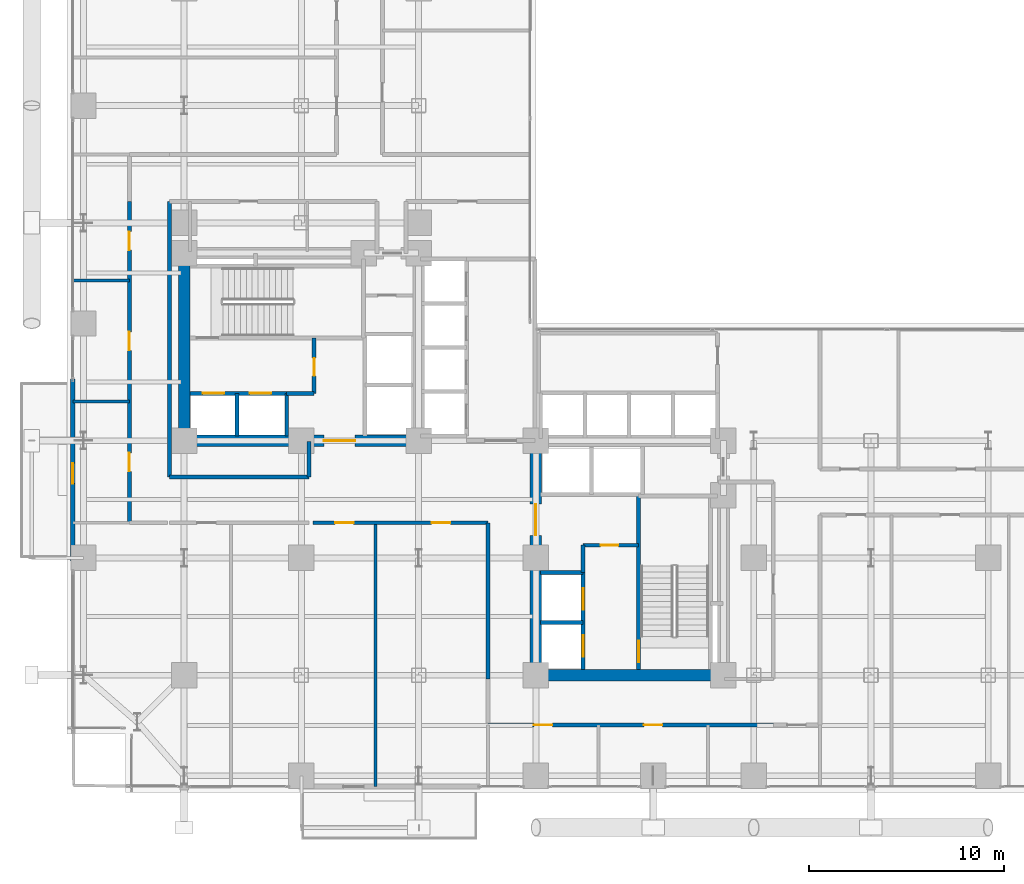
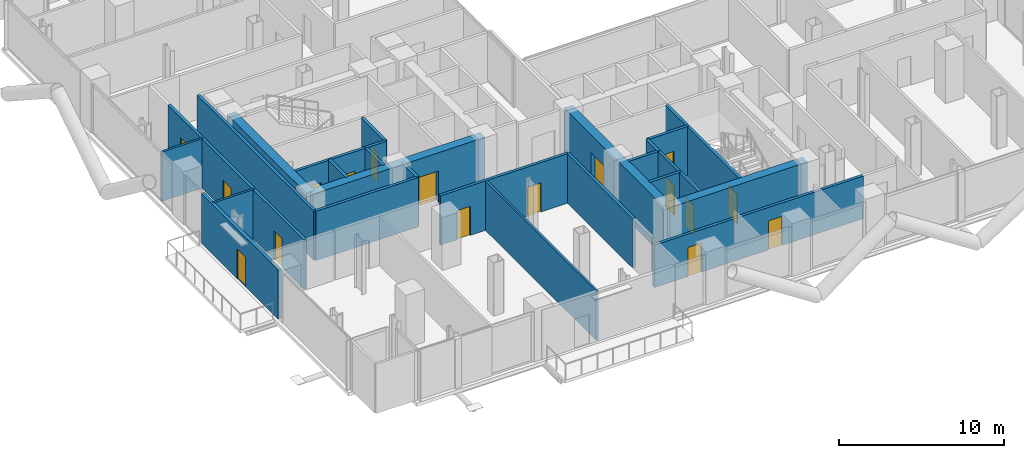
# One storey, part 20 of 25: 26 walls, 17 doors, 17 openings.
"""IFC4 building model written with IfcOpenShell, lengths in metres."""

from ifc_helpers import new_model, si_unit, direction, frame, frame_2d, origin, place, context, subcontext, project, spatial, rectangle, extrude, material, layer, layer_set, type_object, element, fill, save


model = new_model("IFC4")

# Units and contexts
model_context = context("Model", 3, precision=1e-05, world=origin(), true_north=direction((0.0, 1.0)))
body_context = subcontext(model_context, "Body", "Model", "MODEL_VIEW")
ifc_project = project(units=[si_unit("LENGTHUNIT", "METRE"), si_unit("AREAUNIT", "SQUARE_METRE"), si_unit("VOLUMEUNIT", "CUBIC_METRE"), si_unit("PLANEANGLEUNIT", "RADIAN"), si_unit("MASSUNIT", "GRAM", prefix="KILO"), si_unit("THERMODYNAMICTEMPERATUREUNIT", "KELVIN"), si_unit("POWERUNIT", "WATT")], contexts=[model_context])

# Site, building, storey
site_placement = place(None, origin())
site = spatial("IfcSite", under=ifc_project, at=site_placement, CompositionType="ELEMENT")
building_placement = place(site_placement, origin())
building = spatial("IfcBuilding", under=site, at=building_placement, Name="Svarakhadi Broadcast Tower", CompositionType="ELEMENT")
storey_placement = place(building_placement, frame((0.0, 0.0, 63.60009765625)))
storey = spatial("IfcBuildingStorey", under=building, at=storey_placement, Name="L14", CompositionType="ELEMENT", Elevation=63.60009765625)

# Wall, opening, door
ifc_material_1 = material(Name="Concrete C40/50 (IS 456 M50)", Category="concrete")
ifc_layer_1 = layer(ifc_material_1, 0.239990234375)
ifc_layer_set_1 = layer_set([ifc_layer_1], Name="Concrete C40/50 (IS 456 M50)")
wall_type_1 = type_object("IfcWallType", Name="Wall_Ext_240", PredefinedType="SOLIDWALL", material=ifc_layer_set_1)
wall_1_placement = place(storey_placement, frame((0.300048828125, 11.85498046875, 0.0), z_axis=(0.0, 0.0, 1.0), x_axis=(0.0, 1.0, 0.0)))
wall_1 = element("IfcWall", 1, at=wall_1_placement, inside=storey, type_object=wall_type_1, Name="L14 West Tree Balcony Spandrel Wall", PredefinedType="SOLIDWALL", context=body_context, shape_type="SweptSolid", body=[
    extrude(rectangle(XDim=9.2900390625, YDim=0.239990234375, at=frame_2d((4.64501953125, 0.0))), origin(), (0.0, 0.0, 1.0), 3.64990234375),
])
opening_1_placement = place(wall_1_placement, frame((3.945068359375, 0.0, 0.0)))
opening_1 = element("IfcOpeningElement", 2, at=opening_1_placement, cuts=wall_1, Name="Opening ED-05", PredefinedType="OPENING", context=body_context, shape_type="SweptSolid", body=[
    extrude(rectangle(XDim=1.050048828125, YDim=2.199951171875, at=frame_2d((0.52490234375, 1.10009765625))), frame((0.0, 0.1298828125, 0.0), z_axis=(0.0, -1.0, 0.0), x_axis=(1.0, 0.0, 0.0)), (0.0, 0.0, 1.0), 0.260009765625),
])
ifc_material_2 = material(Name="Anodised Bronze Aluminium AA 6063-T6", Category="aluminium")
door_type_1 = type_object("IfcDoorType", Name="Door_Ext_ED05", OperationType="SINGLE_SWING_LEFT", PredefinedType="DOOR", material=ifc_material_2)
door_1_placement = place(opening_1_placement, origin())
door_1 = element("IfcDoor", 3, at=door_1_placement, inside=storey, type_object=door_type_1, Name="L14 West Tree Balcony Door", OperationType="SINGLE_SWING_LEFT", OverallHeight=2.199951171875, OverallWidth=1.050048828125, PredefinedType="DOOR", context=body_context, shape_type="SweptSolid", body=[
    extrude(rectangle(XDim=1.050048828125, YDim=2.199951171875, at=frame_2d((0.52490234375, 1.10009765625))), frame((0.0, 0.02490234375, 0.0), z_axis=(0.0, -1.0, 0.0), x_axis=(1.0, 0.0, 0.0)), (0.0, 0.0, 1.0), 0.050048828125),
])
fill(opening_1, door_1)

# Wall, openings, doors
ifc_layer_2 = layer(ifc_material_1, 0.199951171875)
ifc_layer_set_2 = layer_set([ifc_layer_2], Name="Concrete C40/50 (IS 456 M50)")
wall_type_2 = type_object("IfcWallType", Name="Wall_Fire_200", PredefinedType="SOLIDWALL", material=ifc_layer_set_2)
wall_2_placement = place(storey_placement, frame((36.14990234375, 3.449951171875, 0.0), z_axis=(0.0, 0.0, 1.0), x_axis=(-1.0, 0.0, 0.0)))
wall_2 = element("IfcWall", 4, at=wall_2_placement, inside=storey, type_object=wall_type_2, Name="L14 Broadcast Corridor Wall", PredefinedType="SOLIDWALL", context=body_context, shape_type="SweptSolid", body=[
    extrude(rectangle(XDim=14.599853515625, YDim=0.199951171875, at=frame_2d((7.2998046875, 0.0))), origin(), (0.0, 0.0, 1.0), 3.141845703125),
])
opening_2_placement = place(wall_2_placement, frame((11.300048828125, 0.0, 0.0)))
opening_2 = element("IfcOpeningElement", 5, at=opening_2_placement, cuts=wall_2, Name="Opening D-07", PredefinedType="OPENING", context=body_context, shape_type="SweptSolid", body=[
    extrude(rectangle(XDim=0.949951171875, YDim=2.14990234375, at=frame_2d((0.47509765625, 1.074951171875))), frame((0.0, 0.10986328125, 0.0), z_axis=(0.0, -1.0, 0.0), x_axis=(1.0, 0.0, 0.0)), (0.0, 0.0, 1.0), 0.219970703125),
])
opening_3_placement = place(wall_2_placement, frame((5.675048828125, 0.0, 0.0)))
opening_3 = element("IfcOpeningElement", 6, at=opening_3_placement, cuts=wall_2, Name="Opening D-06", PredefinedType="OPENING", context=body_context, shape_type="SweptSolid", body=[
    extrude(rectangle(XDim=0.949951171875, YDim=2.14990234375, at=frame_2d((0.47509765625, 1.074951171875))), frame((0.0, 0.10986328125, 0.0), z_axis=(0.0, -1.0, 0.0), x_axis=(1.0, 0.0, 0.0)), (0.0, 0.0, 1.0), 0.219970703125),
])
ifc_material_3 = material(Name="Solid-Core Teak Veneer Acoustic Timber Leaf", Category="wood")
door_type_2 = type_object("IfcDoorType", Name="Door_Office_D06", OperationType="SINGLE_SWING_LEFT", PredefinedType="DOOR", material=ifc_material_3)
door_2_placement = place(opening_3_placement, origin())
door_2 = element("IfcDoor", 7, at=door_2_placement, inside=storey, type_object=door_type_2, Name="L14 Media Legal Review Office Door", OperationType="SINGLE_SWING_LEFT", OverallHeight=2.14990234375, OverallWidth=0.949951171875, PredefinedType="DOOR", context=body_context, shape_type="SweptSolid", body=[
    extrude(rectangle(XDim=0.949951171875, YDim=2.14990234375, at=frame_2d((0.47509765625, 1.074951171875))), frame((0.0, 0.02490234375, 0.0), z_axis=(0.0, -1.0, 0.0), x_axis=(1.0, 0.0, 0.0)), (0.0, 0.0, 1.0), 0.050048828125),
])
fill(opening_3, door_2)
door_type_3 = type_object("IfcDoorType", Name="Door_Office_D07", OperationType="SINGLE_SWING_RIGHT", PredefinedType="DOOR", material=ifc_material_3)
door_3_placement = place(opening_2_placement, origin())
door_3 = element("IfcDoor", 8, at=door_3_placement, inside=storey, type_object=door_type_3, Name="L14 South Harbour Editorial Desk Door", OperationType="SINGLE_SWING_RIGHT", OverallHeight=2.14990234375, OverallWidth=0.949951171875, PredefinedType="DOOR", context=body_context, shape_type="SweptSolid", body=[
    extrude(rectangle(XDim=0.949951171875, YDim=2.14990234375, at=frame_2d((0.47509765625, 1.074951171875))), frame((0.0, 0.02490234375, 0.0), z_axis=(0.0, -1.0, 0.0), x_axis=(1.0, 0.0, 0.0)), (0.0, 0.0, 1.0), 0.050048828125),
])
fill(opening_2, door_3)

# Wall
wall_3_placement = place(storey_placement, frame((21.550048828125, 5.800048828125, 0.0), z_axis=(0.0, 0.0, 1.0), x_axis=(0.0, 1.0, 0.0)))
element("IfcWall", 9, at=wall_3_placement, inside=storey, type_object=wall_type_2, Name="L14 Broadcast Corridor Wall", PredefinedType="SOLIDWALL", context=body_context, shape_type="SweptSolid", body=[
    extrude(rectangle(XDim=8.0, YDim=0.199951171875, at=frame_2d((4.0, 0.0))), origin(), (0.0, 0.0, 1.0), 3.64990234375),
])

# Wall, openings, doors
wall_4_placement = place(storey_placement, frame((21.550048828125, 13.800048828125, 0.0), z_axis=(0.0, 0.0, 1.0), x_axis=(-1.0, 0.0, 0.0)))
wall_4 = element("IfcWall", 10, at=wall_4_placement, inside=storey, type_object=wall_type_2, Name="L14 Broadcast Corridor Wall", PredefinedType="SOLIDWALL", context=body_context, shape_type="SweptSolid", body=[
    extrude(rectangle(XDim=8.949951171875, YDim=0.199951171875, at=frame_2d((4.47509765625, 0.0))), origin(), (0.0, 0.0, 1.0), 3.64990234375),
])
opening_4_placement = place(wall_4_placement, frame((6.875, 0.0, 0.0)))
opening_4 = element("IfcOpeningElement", 11, at=opening_4_placement, cuts=wall_4, Name="Opening D-07", PredefinedType="OPENING", context=body_context, shape_type="SweptSolid", body=[
    extrude(rectangle(XDim=0.949951171875, YDim=2.14990234375, at=frame_2d((0.47509765625, 1.074951171875))), frame((0.0, 0.10986328125, 0.0), z_axis=(0.0, -1.0, 0.0), x_axis=(1.0, 0.0, 0.0)), (0.0, 0.0, 1.0), 0.219970703125),
])
opening_5_placement = place(wall_4_placement, frame((1.929931640625, 0.0, 0.0)))
opening_5 = element("IfcOpeningElement", 12, at=opening_5_placement, cuts=wall_4, Name="Opening D-06", PredefinedType="OPENING", context=body_context, shape_type="SweptSolid", body=[
    extrude(rectangle(XDim=0.949951171875, YDim=2.14990234375, at=frame_2d((0.47509765625, 1.074951171875))), frame((0.0, 0.10986328125, 0.0), z_axis=(0.0, -1.0, 0.0), x_axis=(1.0, 0.0, 0.0)), (0.0, 0.0, 1.0), 0.219970703125),
])
door_4_placement = place(opening_5_placement, origin())
door_4 = element("IfcDoor", 13, at=door_4_placement, inside=storey, type_object=door_type_2, Name="L14 Faculty Coordinator Office Door", OperationType="SINGLE_SWING_LEFT", OverallHeight=2.14990234375, OverallWidth=0.949951171875, PredefinedType="DOOR", context=body_context, shape_type="SweptSolid", body=[
    extrude(rectangle(XDim=0.949951171875, YDim=2.14990234375, at=frame_2d((0.47509765625, 1.074951171875))), frame((0.0, 0.02490234375, 0.0), z_axis=(0.0, -1.0, 0.0), x_axis=(1.0, 0.0, 0.0)), (0.0, 0.0, 1.0), 0.050048828125),
])
fill(opening_5, door_4)
door_5_placement = place(opening_4_placement, origin())
door_5 = element("IfcDoor", 14, at=door_5_placement, inside=storey, type_object=door_type_3, Name="L14 Curriculum Development Office Door", OperationType="SINGLE_SWING_RIGHT", OverallHeight=2.14990234375, OverallWidth=0.949951171875, PredefinedType="DOOR", context=body_context, shape_type="SweptSolid", body=[
    extrude(rectangle(XDim=0.949951171875, YDim=2.14990234375, at=frame_2d((0.47509765625, 1.074951171875))), frame((0.0, 0.02490234375, 0.0), z_axis=(0.0, -1.0, 0.0), x_axis=(1.0, 0.0, 0.0)), (0.0, 0.0, 1.0), 0.050048828125),
])
fill(opening_4, door_5)

wall_5_placement = place(storey_placement, frame((3.199951171875, 13.800048828125, 0.0), z_axis=(0.0, 0.0, 1.0), x_axis=(0.0, 1.0, 0.0)))
wall_5 = element("IfcWall", 15, at=wall_5_placement, inside=storey, type_object=wall_type_2, Name="L14 Broadcast Corridor Wall", PredefinedType="SOLIDWALL", context=body_context, shape_type="SweptSolid", body=[
    extrude(rectangle(XDim=16.449951171875, YDim=0.199951171875, at=frame_2d((8.22509765625, 0.0))), origin(), (0.0, 0.0, 1.0), 3.64990234375),
])
opening_6_placement = place(wall_5_placement, frame((2.625, 0.0, 0.0)))
opening_6 = element("IfcOpeningElement", 16, at=opening_6_placement, cuts=wall_5, Name="Opening D-06", PredefinedType="OPENING", context=body_context, shape_type="SweptSolid", body=[
    extrude(rectangle(XDim=0.949951171875, YDim=2.14990234375, at=frame_2d((0.47509765625, 1.074951171875))), frame((0.0, 0.10986328125, 0.0), z_axis=(0.0, -1.0, 0.0), x_axis=(1.0, 0.0, 0.0)), (0.0, 0.0, 1.0), 0.219970703125),
])
opening_7_placement = place(wall_5_placement, frame((8.824951171875, 0.0, 0.0)))
opening_7 = element("IfcOpeningElement", 17, at=opening_7_placement, cuts=wall_5, Name="Opening D-07", PredefinedType="OPENING", context=body_context, shape_type="SweptSolid", body=[
    extrude(rectangle(XDim=0.949951171875, YDim=2.14990234375, at=frame_2d((0.47509765625, 1.074951171875))), frame((0.0, 0.10986328125, 0.0), z_axis=(0.0, -1.0, 0.0), x_axis=(1.0, 0.0, 0.0)), (0.0, 0.0, 1.0), 0.219970703125),
])
opening_8_placement = place(wall_5_placement, frame((13.949951171875, 0.0, 0.0)))
opening_8 = element("IfcOpeningElement", 18, at=opening_8_placement, cuts=wall_5, Name="Opening D-06", PredefinedType="OPENING", context=body_context, shape_type="SweptSolid", body=[
    extrude(rectangle(XDim=0.949951171875, YDim=2.14990234375, at=frame_2d((0.47509765625, 1.074951171875))), frame((0.0, 0.10986328125, 0.0), z_axis=(0.0, -1.0, 0.0), x_axis=(1.0, 0.0, 0.0)), (0.0, 0.0, 1.0), 0.219970703125),
])
door_6_placement = place(opening_6_placement, origin())
door_6 = element("IfcDoor", 19, at=door_6_placement, inside=storey, type_object=door_type_2, Name="L14 Arabian Sea Commentary Booth Door", OperationType="SINGLE_SWING_LEFT", OverallHeight=2.14990234375, OverallWidth=0.949951171875, PredefinedType="DOOR", context=body_context, shape_type="SweptSolid", body=[
    extrude(rectangle(XDim=0.949951171875, YDim=2.14990234375, at=frame_2d((0.47509765625, 1.074951171875))), frame((0.0, 0.02490234375, 0.0), z_axis=(0.0, -1.0, 0.0), x_axis=(1.0, 0.0, 0.0)), (0.0, 0.0, 1.0), 0.050048828125),
])
fill(opening_6, door_6)
door_7_placement = place(opening_8_placement, origin())
door_7 = element("IfcDoor", 20, at=door_7_placement, inside=storey, type_object=door_type_2, Name="L14 Producer Quiet Lounge Door", OperationType="SINGLE_SWING_LEFT", OverallHeight=2.14990234375, OverallWidth=0.949951171875, PredefinedType="DOOR", context=body_context, shape_type="SweptSolid", body=[
    extrude(rectangle(XDim=0.949951171875, YDim=2.14990234375, at=frame_2d((0.47509765625, 1.074951171875))), frame((0.0, 0.02490234375, 0.0), z_axis=(0.0, -1.0, 0.0), x_axis=(1.0, 0.0, 0.0)), (0.0, 0.0, 1.0), 0.050048828125),
])
fill(opening_8, door_7)
door_8_placement = place(opening_7_placement, origin())
door_8 = element("IfcDoor", 21, at=door_8_placement, inside=storey, type_object=door_type_3, Name="L14 Live Translation Studio Door", OperationType="SINGLE_SWING_RIGHT", OverallHeight=2.14990234375, OverallWidth=0.949951171875, PredefinedType="DOOR", context=body_context, shape_type="SweptSolid", body=[
    extrude(rectangle(XDim=0.949951171875, YDim=2.14990234375, at=frame_2d((0.47509765625, 1.074951171875))), frame((0.0, 0.02490234375, 0.0), z_axis=(0.0, -1.0, 0.0), x_axis=(1.0, 0.0, 0.0)), (0.0, 0.0, 1.0), 0.050048828125),
])
fill(opening_7, door_8)

# Walls
wall_6_placement = place(storey_placement, frame((5.25, 30.25, 0.0), z_axis=(0.0, 0.0, 1.0), x_axis=(0.0, -1.0, 0.0)))
element("IfcWall", 22, at=wall_6_placement, inside=storey, type_object=wall_type_2, Name="L14 Broadcast Corridor Wall", PredefinedType="SOLIDWALL", context=body_context, shape_type="SweptSolid", body=[
    extrude(rectangle(XDim=14.10009765625, YDim=0.199951171875, at=frame_2d((7.050048828125, 0.0))), origin(), (0.0, 0.0, 1.0), 3.64990234375),
])
wall_7_placement = place(storey_placement, frame((5.25, 16.14990234375, 0.0), z_axis=(0.0, 0.0, 1.0), x_axis=(1.0, 0.0, 0.0)))
element("IfcWall", 23, at=wall_7_placement, inside=storey, type_object=wall_type_2, Name="L14 Broadcast Corridor Wall", PredefinedType="SOLIDWALL", context=body_context, shape_type="SweptSolid", body=[
    extrude(rectangle(XDim=7.14990234375, YDim=0.199951171875, at=frame_2d((3.574951171875, 0.0))), origin(), (0.0, 0.0, 1.0), 3.64990234375),
])
wall_8_placement = place(storey_placement, frame((12.39990234375, 16.14990234375, 0.0), z_axis=(0.0, 0.0, 1.0), x_axis=(0.0, 1.0, 0.0)))
element("IfcWall", 24, at=wall_8_placement, inside=storey, type_object=wall_type_2, Name="L14 Broadcast Corridor Wall", PredefinedType="SOLIDWALL", context=body_context, shape_type="SweptSolid", body=[
    extrude(rectangle(XDim=1.800048828125, YDim=0.199951171875, at=frame_2d((0.89990234375, 0.0))), origin(), (0.0, 0.0, 1.0), 3.64990234375),
])
ifc_material_4 = material(Name="Autoclaved Aerated Concrete Blockwork 150 mm", Category="masonry")
ifc_layer_3 = layer(ifc_material_4, 0.14990234375)
ifc_layer_set_3 = layer_set([ifc_layer_3], Name="Autoclaved Aerated Concrete Blockwork 150 mm")
wall_type_3 = type_object("IfcWallType", Name="Wall_Part_150", PredefinedType="PARTITIONING", material=ifc_layer_set_3)
wall_9_placement = place(storey_placement, frame((15.800048828125, 0.300048828125, 0.0), z_axis=(0.0, 0.0, 1.0), x_axis=(0.0, 1.0, 0.0)))
element("IfcWall", 25, at=wall_9_placement, inside=storey, type_object=wall_type_3, Name="L14 Curriculum Development Office Wall", PredefinedType="PARTITIONING", context=body_context, shape_type="SweptSolid", body=[
    extrude(rectangle(XDim=13.5, YDim=0.14990234375, at=frame_2d((6.75, 0.0))), origin(), (0.0, 0.0, 1.0), 3.64990234375),
])
for number, where, z_axis, x_axis, name in (
    (26, (0.300048828125, 20.0, 0.0), (0.0, 0.0, 1.0), (1.0, 0.0, 0.0), "L14 Arabian Sea Commentary Booth Wall"),
    (27, (0.300048828125, 26.199951171875, 0.0), (0.0, 0.0, 1.0), (1.0, 0.0, 0.0), "L14 Live Translation Studio Wall"),
):
    element("IfcWall", number, at=place(storey_placement, frame(where, z_axis=z_axis, x_axis=x_axis)), inside=storey, type_object=wall_type_3, Name=name, PredefinedType="PARTITIONING", context=body_context, shape_type="SweptSolid", body=[
        extrude(rectangle(XDim=2.89990234375, YDim=0.14990234375, at=frame_2d((1.449951171875, 0.0))), origin(), (0.0, 0.0, 1.0), 3.64990234375),
    ])

# Wall, opening, door
ifc_material_5 = material(Name="Concrete C50/60 (IS 456 M60)", Category="concrete")
ifc_layer_4 = layer(ifc_material_5, 0.199951171875)
ifc_layer_set_4 = layer_set([ifc_layer_4], Name="Concrete C50/60 (IS 456 M60)")
wall_type_4 = type_object("IfcWallType", Name="Wall_Shear_200", PredefinedType="SHEAR", material=ifc_layer_set_4)
wall_10_placement = place(storey_placement, frame((29.260009765625, 6.300048828125, 0.0), z_axis=(0.0, 0.0, 1.0), x_axis=(0.0, 1.0, 0.0)))
wall_10 = element("IfcWall", 28, at=wall_10_placement, inside=storey, type_object=wall_type_4, Name="L14 Stair ST-02 West RC Shaft Wall", PredefinedType="SHEAR", context=body_context, shape_type="SweptSolid", body=[
    extrude(rectangle(XDim=8.8798828125, YDim=0.199951171875, at=frame_2d((4.43994140625, 0.0))), origin(), (0.0, 0.0, 1.0), 3.64990234375),
])
opening_9_placement = place(wall_10_placement, frame((0.35009765625, 0.0, 0.0)))
opening_9 = element("IfcOpeningElement", 29, at=opening_9_placement, cuts=wall_10, Name="Opening D-02", PredefinedType="OPENING", context=body_context, shape_type="SweptSolid", body=[
    extrude(rectangle(XDim=1.10009765625, YDim=2.199951171875, at=frame_2d((0.550048828125, 1.10009765625))), frame((0.0, 0.10986328125, 0.0), z_axis=(0.0, -1.0, 0.0), x_axis=(1.0, 0.0, 0.0)), (0.0, 0.0, 1.0), 0.219970703125),
])
ifc_material_6 = material(Name="Galvanised Powder-Coated Fire-Rated Steel Leaf", Category="steel")
door_type_4 = type_object("IfcDoorType", Name="Door_Stair_D02", OperationType="SINGLE_SWING_RIGHT", PredefinedType="DOOR", material=ifc_material_6)
door_9_placement = place(opening_9_placement, origin())
door_9 = element("IfcDoor", 30, at=door_9_placement, inside=storey, type_object=door_type_4, Name="L14 Protected Exit Stair ST-02 Fire Door", OperationType="SINGLE_SWING_RIGHT", OverallHeight=2.199951171875, OverallWidth=1.10009765625, PredefinedType="DOOR", context=body_context, shape_type="SweptSolid", body=[
    extrude(rectangle(XDim=1.10009765625, YDim=2.199951171875, at=frame_2d((0.550048828125, 1.10009765625))), frame((0.0, 0.02490234375, 0.0), z_axis=(0.0, -1.0, 0.0), x_axis=(1.0, 0.0, 0.0)), (0.0, 0.0, 1.0), 0.050048828125),
])
fill(opening_9, door_9)

# Wall, openings, doors
wall_11_placement = place(storey_placement, frame((6.300048828125, 20.419921875, 0.0), z_axis=(0.0, 0.0, 1.0), x_axis=(1.0, 0.0, 0.0)))
wall_11 = element("IfcWall", 31, at=wall_11_placement, inside=storey, type_object=wall_type_4, Name="L14 Firefighting Lift LF-01/02 Shaft Wall", PredefinedType="SHEAR", context=body_context, shape_type="SweptSolid", body=[
    extrude(rectangle(XDim=4.949951171875, YDim=0.199951171875, at=frame_2d((2.47509765625, 0.0))), origin(), (0.0, 0.0, 1.0), 3.64990234375),
])
opening_10_placement = place(wall_11_placement, frame((0.64990234375, 0.0, 0.0)))
opening_10 = element("IfcOpeningElement", 32, at=opening_10_placement, cuts=wall_11, Name="Opening LD-01", PredefinedType="OPENING", context=body_context, shape_type="SweptSolid", body=[
    extrude(rectangle(XDim=1.10009765625, YDim=2.199951171875, at=frame_2d((0.550048828125, 1.10009765625))), frame((0.0, 0.10986328125, 0.0), z_axis=(0.0, -1.0, 0.0), x_axis=(1.0, 0.0, 0.0)), (0.0, 0.0, 1.0), 0.219970703125),
])
opening_11_placement = place(wall_11_placement, frame((3.050048828125, 0.0, 0.0)))
opening_11 = element("IfcOpeningElement", 33, at=opening_11_placement, cuts=wall_11, Name="Opening LD-01", PredefinedType="OPENING", context=body_context, shape_type="SweptSolid", body=[
    extrude(rectangle(XDim=1.10009765625, YDim=2.199951171875, at=frame_2d((0.550048828125, 1.10009765625))), frame((0.0, 0.10986328125, 0.0), z_axis=(0.0, -1.0, 0.0), x_axis=(1.0, 0.0, 0.0)), (0.0, 0.0, 1.0), 0.219970703125),
])
door_type_5 = type_object("IfcDoorType", Name="Door_Lift_LD01", OperationType="SLIDING_TO_LEFT", PredefinedType="DOOR", material=ifc_material_6)
door_10_placement = place(opening_10_placement, origin())
door_10 = element("IfcDoor", 34, at=door_10_placement, inside=storey, type_object=door_type_5, Name="L14 Firefighting Lift LF-01 Landing Door", OperationType="SLIDING_TO_LEFT", OverallHeight=2.199951171875, OverallWidth=1.10009765625, PredefinedType="DOOR", context=body_context, shape_type="SweptSolid", body=[
    extrude(rectangle(XDim=1.10009765625, YDim=2.199951171875, at=frame_2d((0.550048828125, 1.10009765625))), frame((0.0, 0.02490234375, 0.0), z_axis=(0.0, -1.0, 0.0), x_axis=(1.0, 0.0, 0.0)), (0.0, 0.0, 1.0), 0.050048828125),
])
fill(opening_10, door_10)
door_11_placement = place(opening_11_placement, origin())
door_11 = element("IfcDoor", 35, at=door_11_placement, inside=storey, type_object=door_type_5, Name="L14 Firefighting Lift LF-02 Landing Door", OperationType="SLIDING_TO_LEFT", OverallHeight=2.199951171875, OverallWidth=1.10009765625, PredefinedType="DOOR", context=body_context, shape_type="SweptSolid", body=[
    extrude(rectangle(XDim=1.10009765625, YDim=2.199951171875, at=frame_2d((0.550048828125, 1.10009765625))), frame((0.0, 0.02490234375, 0.0), z_axis=(0.0, -1.0, 0.0), x_axis=(1.0, 0.0, 0.0)), (0.0, 0.0, 1.0), 0.050048828125),
])
fill(opening_11, door_11)

# Walls
for number, where, z_axis, x_axis, name in (
    (36, (8.699951171875, 18.25, 0.0), (0.0, 0.0, 1.0), (0.0, 1.0, 0.0), "L14 Firefighting Lift LF-01/02 Divider Wall"),
    (37, (11.25, 18.25, 0.0), (0.0, 0.0, 1.0), (0.0, 1.0, 0.0), "L14 Firefighting Lift LF-02 East Wall"),
):
    element("IfcWall", number, at=place(storey_placement, frame(where, z_axis=z_axis, x_axis=x_axis)), inside=storey, type_object=wall_type_4, Name=name, PredefinedType="SHEAR", context=body_context, shape_type="SweptSolid", body=[
        extrude(rectangle(XDim=2.169921875, YDim=0.199951171875, at=frame_2d((1.0849609375, 0.0))), origin(), (0.0, 0.0, 1.0), 3.64990234375),
    ])
wall_12_placement = place(storey_placement, frame((11.25, 20.419921875, 0.0), z_axis=(0.0, 0.0, 1.0), x_axis=(1.0, 0.0, 0.0)))
element("IfcWall", 38, at=wall_12_placement, inside=storey, type_object=wall_type_4, Name="L14 West Firefighting Lobby South Wall", PredefinedType="SHEAR", context=body_context, shape_type="SweptSolid", body=[
    extrude(rectangle(XDim=1.39990234375, YDim=0.199951171875, at=frame_2d((0.699951171875, 0.0))), origin(), (0.0, 0.0, 1.0), 3.64990234375),
])

# Wall, opening, door
wall_13_placement = place(storey_placement, frame((12.64990234375, 20.419921875, 0.0), z_axis=(0.0, 0.0, 1.0), x_axis=(0.0, 1.0, 0.0)))
wall_13 = element("IfcWall", 39, at=wall_13_placement, inside=storey, type_object=wall_type_4, Name="L14 West Firefighting Lobby East Wall", PredefinedType="SHEAR", context=body_context, shape_type="SweptSolid", body=[
    extrude(rectangle(XDim=2.840087890625, YDim=0.199951171875, at=frame_2d((1.419921875, 0.0))), origin(), (0.0, 0.0, 1.0), 3.64990234375),
])
opening_12_placement = place(wall_13_placement, frame((0.89990234375, 0.0, 0.0)))
opening_12 = element("IfcOpeningElement", 40, at=opening_12_placement, cuts=wall_13, Name="Opening D-04", PredefinedType="OPENING", context=body_context, shape_type="SweptSolid", body=[
    extrude(rectangle(XDim=0.89990234375, YDim=2.14990234375, at=frame_2d((0.449951171875, 1.074951171875))), frame((0.0, 0.10986328125, 0.0), z_axis=(0.0, -1.0, 0.0), x_axis=(1.0, 0.0, 0.0)), (0.0, 0.0, 1.0), 0.219970703125),
])
door_type_6 = type_object("IfcDoorType", Name="Door_Fire_D04", OperationType="SINGLE_SWING_RIGHT", PredefinedType="DOOR", material=ifc_material_6)
door_12_placement = place(opening_12_placement, origin())
door_12 = element("IfcDoor", 41, at=door_12_placement, inside=storey, type_object=door_type_6, Name="L14 West Firefighting Lobby Fire Door", OperationType="SINGLE_SWING_RIGHT", OverallHeight=2.14990234375, OverallWidth=0.89990234375, PredefinedType="DOOR", context=body_context, shape_type="SweptSolid", body=[
    extrude(rectangle(XDim=0.89990234375, YDim=2.14990234375, at=frame_2d((0.449951171875, 1.074951171875))), frame((0.0, 0.02490234375, 0.0), z_axis=(0.0, -1.0, 0.0), x_axis=(1.0, 0.0, 0.0)), (0.0, 0.0, 1.0), 0.050048828125),
])
fill(opening_12, door_12)

# Wall, openings, doors
wall_14_placement = place(storey_placement, frame((26.419921875, 6.300048828125, 0.0), z_axis=(0.0, 0.0, 1.0), x_axis=(0.0, 1.0, 0.0)))
wall_14 = element("IfcWall", 42, at=wall_14_placement, inside=storey, type_object=wall_type_4, Name="L14 Firefighting Lift LF-03/04 Shaft Wall", PredefinedType="SHEAR", context=body_context, shape_type="SweptSolid", body=[
    extrude(rectangle(XDim=4.949951171875, YDim=0.199951171875, at=frame_2d((2.47509765625, 0.0))), origin(), (0.0, 0.0, 1.0), 3.64990234375),
])
opening_13_placement = place(wall_14_placement, frame((0.64990234375, 0.0, 0.0)))
opening_13 = element("IfcOpeningElement", 43, at=opening_13_placement, cuts=wall_14, Name="Opening LD-01", PredefinedType="OPENING", context=body_context, shape_type="SweptSolid", body=[
    extrude(rectangle(XDim=1.10009765625, YDim=2.199951171875, at=frame_2d((0.550048828125, 1.10009765625))), frame((0.0, 0.10986328125, 0.0), z_axis=(0.0, -1.0, 0.0), x_axis=(1.0, 0.0, 0.0)), (0.0, 0.0, 1.0), 0.219970703125),
])
opening_14_placement = place(wall_14_placement, frame((3.050048828125, 0.0, 0.0)))
opening_14 = element("IfcOpeningElement", 44, at=opening_14_placement, cuts=wall_14, Name="Opening LD-01", PredefinedType="OPENING", context=body_context, shape_type="SweptSolid", body=[
    extrude(rectangle(XDim=1.10009765625, YDim=2.199951171875, at=frame_2d((0.550048828125, 1.10009765625))), frame((0.0, 0.10986328125, 0.0), z_axis=(0.0, -1.0, 0.0), x_axis=(1.0, 0.0, 0.0)), (0.0, 0.0, 1.0), 0.219970703125),
])
door_13_placement = place(opening_13_placement, origin())
door_13 = element("IfcDoor", 45, at=door_13_placement, inside=storey, type_object=door_type_5, Name="L14 Firefighting Lift LF-03 Landing Door", OperationType="SLIDING_TO_LEFT", OverallHeight=2.199951171875, OverallWidth=1.10009765625, PredefinedType="DOOR", context=body_context, shape_type="SweptSolid", body=[
    extrude(rectangle(XDim=1.10009765625, YDim=2.199951171875, at=frame_2d((0.550048828125, 1.10009765625))), frame((0.0, 0.02490234375, 0.0), z_axis=(0.0, -1.0, 0.0), x_axis=(1.0, 0.0, 0.0)), (0.0, 0.0, 1.0), 0.050048828125),
])
fill(opening_13, door_13)
door_14_placement = place(opening_14_placement, origin())
door_14 = element("IfcDoor", 46, at=door_14_placement, inside=storey, type_object=door_type_5, Name="L14 Firefighting Lift LF-04 Landing Door", OperationType="SLIDING_TO_LEFT", OverallHeight=2.199951171875, OverallWidth=1.10009765625, PredefinedType="DOOR", context=body_context, shape_type="SweptSolid", body=[
    extrude(rectangle(XDim=1.10009765625, YDim=2.199951171875, at=frame_2d((0.550048828125, 1.10009765625))), frame((0.0, 0.02490234375, 0.0), z_axis=(0.0, -1.0, 0.0), x_axis=(1.0, 0.0, 0.0)), (0.0, 0.0, 1.0), 0.050048828125),
])
fill(opening_14, door_14)

# Walls
for number, where, z_axis, x_axis, name in (
    (47, (24.25, 8.699951171875, 0.0), (0.0, 0.0, 1.0), (1.0, 0.0, 0.0), "L14 Firefighting Lift LF-03/04 Divider Wall"),
    (48, (24.25, 11.25, 0.0), (0.0, 0.0, 1.0), (1.0, 0.0, 0.0), "L14 Firefighting Lift LF-04 North Wall"),
):
    element("IfcWall", number, at=place(storey_placement, frame(where, z_axis=z_axis, x_axis=x_axis)), inside=storey, type_object=wall_type_4, Name=name, PredefinedType="SHEAR", context=body_context, shape_type="SweptSolid", body=[
        extrude(rectangle(XDim=2.169921875, YDim=0.199951171875, at=frame_2d((1.0849609375, 0.0))), origin(), (0.0, 0.0, 1.0), 3.64990234375),
    ])
wall_15_placement = place(storey_placement, frame((26.419921875, 11.25, 0.0), z_axis=(0.0, 0.0, 1.0), x_axis=(0.0, 1.0, 0.0)))
element("IfcWall", 49, at=wall_15_placement, inside=storey, type_object=wall_type_4, Name="L14 East Firefighting Lobby West Wall", PredefinedType="SHEAR", context=body_context, shape_type="SweptSolid", body=[
    extrude(rectangle(XDim=1.39990234375, YDim=0.199951171875, at=frame_2d((0.699951171875, 0.0))), origin(), (0.0, 0.0, 1.0), 3.64990234375),
])

# Wall, opening, door
wall_16_placement = place(storey_placement, frame((26.419921875, 12.64990234375, 0.0), z_axis=(0.0, 0.0, 1.0), x_axis=(1.0, 0.0, 0.0)))
wall_16 = element("IfcWall", 50, at=wall_16_placement, inside=storey, type_object=wall_type_4, Name="L14 East Firefighting Lobby North Wall", PredefinedType="SHEAR", context=body_context, shape_type="SweptSolid", body=[
    extrude(rectangle(XDim=2.840087890625, YDim=0.199951171875, at=frame_2d((1.419921875, 0.0))), origin(), (0.0, 0.0, 1.0), 3.64990234375),
])
opening_15_placement = place(wall_16_placement, frame((0.89990234375, 0.0, 0.0)))
opening_15 = element("IfcOpeningElement", 51, at=opening_15_placement, cuts=wall_16, Name="Opening D-03", PredefinedType="OPENING", context=body_context, shape_type="SweptSolid", body=[
    extrude(rectangle(XDim=0.89990234375, YDim=2.14990234375, at=frame_2d((0.449951171875, 1.074951171875))), frame((0.0, 0.10986328125, 0.0), z_axis=(0.0, -1.0, 0.0), x_axis=(1.0, 0.0, 0.0)), (0.0, 0.0, 1.0), 0.219970703125),
])
door_type_7 = type_object("IfcDoorType", Name="Door_Fire_D03", OperationType="SINGLE_SWING_LEFT", PredefinedType="DOOR", material=ifc_material_6)
door_15_placement = place(opening_15_placement, origin())
door_15 = element("IfcDoor", 52, at=door_15_placement, inside=storey, type_object=door_type_7, Name="L14 East Firefighting Lobby Fire Door", OperationType="SINGLE_SWING_LEFT", OverallHeight=2.14990234375, OverallWidth=0.89990234375, PredefinedType="DOOR", context=body_context, shape_type="SweptSolid", body=[
    extrude(rectangle(XDim=0.89990234375, YDim=2.14990234375, at=frame_2d((0.449951171875, 1.074951171875))), frame((0.0, 0.02490234375, 0.0), z_axis=(0.0, -1.0, 0.0), x_axis=(1.0, 0.0, 0.0)), (0.0, 0.0, 1.0), 0.050048828125),
])
fill(opening_15, door_15)

ifc_material_7 = material(Name="Concrete C60/75 (IS 456 M70)", Category="concrete")
ifc_layer_5 = layer(ifc_material_7, 0.60009765625)
ifc_layer_set_5 = layer_set([ifc_layer_5], Name="Concrete C60/75 (IS 456 M70)")
wall_type_5 = type_object("IfcWallType", Name="Wall_Shear_600", PredefinedType="SHEAR", material=ifc_layer_set_5)
wall_17_placement = place(storey_placement, frame((6.0, 18.0, 0.0), z_axis=(0.0, 0.0, 1.0), x_axis=(1.0, 0.0, 0.0)))
wall_17 = element("IfcWall", 53, at=wall_17_placement, inside=storey, type_object=wall_type_5, Name="L14 West Core South Shear Wall", PredefinedType="SHEAR", context=body_context, shape_type="SweptSolid", body=[
    extrude(rectangle(XDim=12.0, YDim=0.60009765625, at=frame_2d((6.0, 0.0))), origin(), (0.0, 0.0, 1.0), 3.64990234375),
])
opening_16_placement = place(wall_17_placement, frame((7.14990234375, 0.0, 0.0)))
opening_16 = element("IfcOpeningElement", 54, at=opening_16_placement, cuts=wall_17, Name="Opening D-05", PredefinedType="OPENING", context=body_context, shape_type="SweptSolid", body=[
    extrude(rectangle(XDim=1.60009765625, YDim=2.300048828125, at=frame_2d((0.800048828125, 1.14990234375))), frame((0.0, 0.31005859375, 0.0), z_axis=(0.0, -1.0, 0.0), x_axis=(1.0, 0.0, 0.0)), (0.0, 0.0, 1.0), 0.6201171875),
])
door_type_8 = type_object("IfcDoorType", Name="Door_Lobby_D05", OperationType="DOUBLE_DOOR_SLIDING", PredefinedType="DOOR", material=ifc_material_2)
door_16_placement = place(opening_16_placement, origin())
door_16 = element("IfcDoor", 55, at=door_16_placement, inside=storey, type_object=door_type_8, Name="L14 West Core Passenger Lift Lobby Entrance Door", OperationType="DOUBLE_DOOR_SLIDING", OverallHeight=2.300048828125, OverallWidth=1.60009765625, PredefinedType="DOOR", context=body_context, shape_type="SweptSolid", body=[
    extrude(rectangle(XDim=1.60009765625, YDim=2.300048828125, at=frame_2d((0.800048828125, 1.14990234375))), frame((0.0, 0.02490234375, 0.0), z_axis=(0.0, -1.0, 0.0), x_axis=(1.0, 0.0, 0.0)), (0.0, 0.0, 1.0), 0.050048828125),
])
fill(opening_16, door_16)

# Walls
for number, where, z_axis, x_axis, name in (
    (56, (6.0, 18.0, 0.0), (0.0, 0.0, 1.0), (0.0, 1.0, 0.0), "L14 West Core West Shear Wall"),
    (57, (24.0, 6.0, 0.0), (0.0, 0.0, 1.0), (1.0, 0.0, 0.0), "L14 East Core South Shear Wall"),
):
    element("IfcWall", number, at=place(storey_placement, frame(where, z_axis=z_axis, x_axis=x_axis)), inside=storey, type_object=wall_type_5, Name=name, PredefinedType="SHEAR", context=body_context, shape_type="SweptSolid", body=[
        extrude(rectangle(XDim=9.60009765625, YDim=0.60009765625, at=frame_2d((4.800048828125, 0.0))), origin(), (0.0, 0.0, 1.0), 3.64990234375),
    ])

# Wall, opening, door
wall_18_placement = place(storey_placement, frame((24.0, 6.0, 0.0), z_axis=(0.0, 0.0, 1.0), x_axis=(0.0, 1.0, 0.0)))
wall_18 = element("IfcWall", 58, at=wall_18_placement, inside=storey, type_object=wall_type_5, Name="L14 East Core West Shear Wall", PredefinedType="SHEAR", context=body_context, shape_type="SweptSolid", body=[
    extrude(rectangle(XDim=12.0, YDim=0.60009765625, at=frame_2d((6.0, 0.0))), origin(), (0.0, 0.0, 1.0), 3.64990234375),
])
opening_17_placement = place(wall_18_placement, frame((7.14990234375, 0.0, 0.0)))
opening_17 = element("IfcOpeningElement", 59, at=opening_17_placement, cuts=wall_18, Name="Opening D-05", PredefinedType="OPENING", context=body_context, shape_type="SweptSolid", body=[
    extrude(rectangle(XDim=1.60009765625, YDim=2.300048828125, at=frame_2d((0.800048828125, 1.14990234375))), frame((0.0, 0.31005859375, 0.0), z_axis=(0.0, -1.0, 0.0), x_axis=(1.0, 0.0, 0.0)), (0.0, 0.0, 1.0), 0.6201171875),
])
door_17_placement = place(opening_17_placement, origin())
door_17 = element("IfcDoor", 60, at=door_17_placement, inside=storey, type_object=door_type_8, Name="L14 East Core Passenger Lift Lobby Entrance Door", OperationType="DOUBLE_DOOR_SLIDING", OverallHeight=2.300048828125, OverallWidth=1.60009765625, PredefinedType="DOOR", context=body_context, shape_type="SweptSolid", body=[
    extrude(rectangle(XDim=1.60009765625, YDim=2.300048828125, at=frame_2d((0.800048828125, 1.14990234375))), frame((0.0, 0.02490234375, 0.0), z_axis=(0.0, -1.0, 0.0), x_axis=(1.0, 0.0, 0.0)), (0.0, 0.0, 1.0), 0.050048828125),
])
fill(opening_17, door_17)

save(model, "model.ifc")
